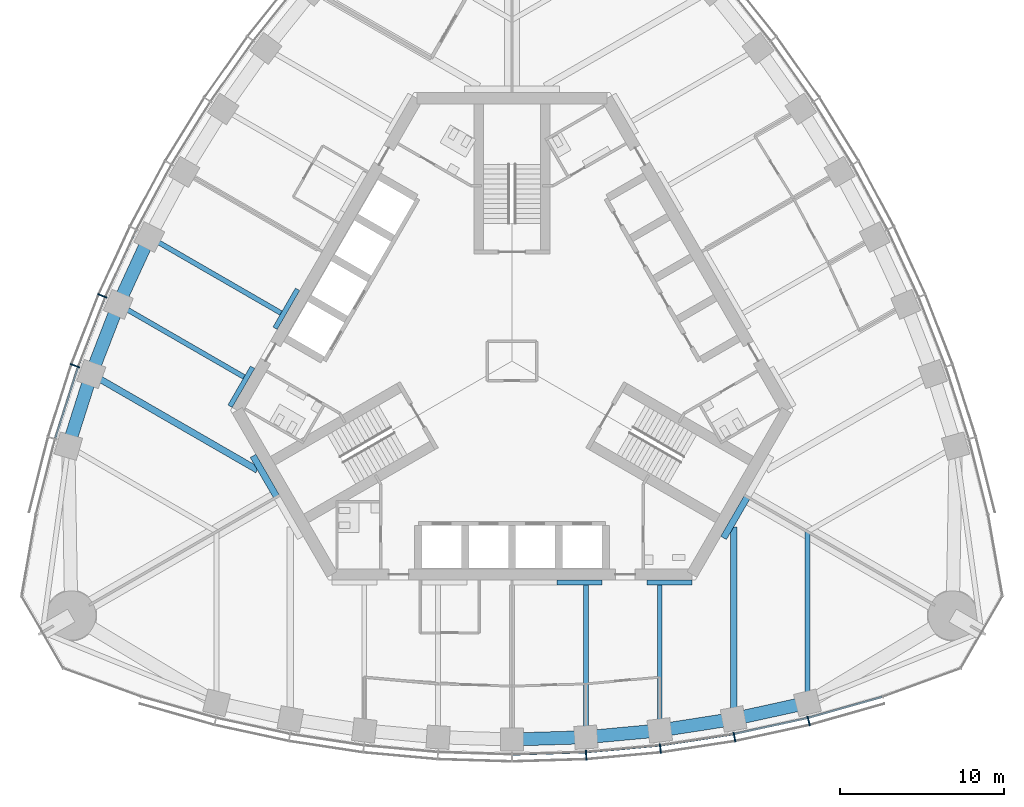
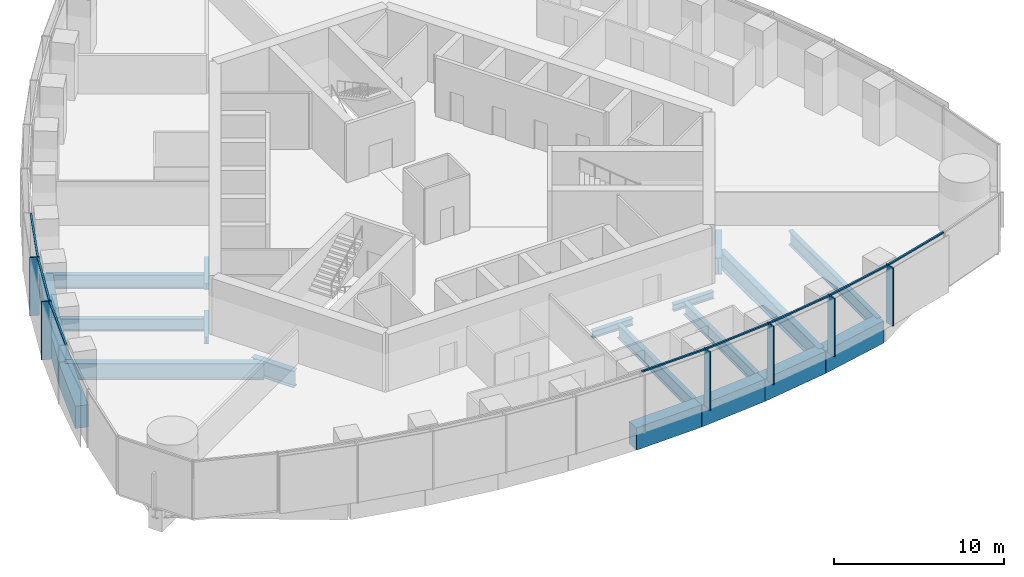
# One storey, part 3 of 15: 20 beams, 14 members, 2 elements without a shape of their own.
"""IFC4 building model written with IfcOpenShell, lengths in metres."""

from ifc_helpers import new_model, si_unit, direction, frame, origin, origin_2d, place, context, subcontext, project, spatial, rectangle, i_section, extrude, material, material_profile, profile_set, type_object, element, aggregate, save


model = new_model("IFC4")

# Units and contexts
model_context = context("Model", 3, precision=1e-05, world=origin(), true_north=direction((0.0, 1.0)))
body_context = subcontext(model_context, "Body", "Model", "MODEL_VIEW")
ifc_project = project(units=[si_unit("LENGTHUNIT", "METRE"), si_unit("AREAUNIT", "SQUARE_METRE"), si_unit("VOLUMEUNIT", "CUBIC_METRE"), si_unit("PLANEANGLEUNIT", "RADIAN"), si_unit("MASSUNIT", "GRAM", prefix="KILO")], contexts=[model_context])

# Site, building, storey
site_placement = place(None, origin())
site = spatial("IfcSite", under=ifc_project, at=site_placement, CompositionType="ELEMENT")
building_placement = place(site_placement, origin())
building = spatial("IfcBuilding", under=site, at=building_placement, Name="Trefoil Bronze Tower", CompositionType="ELEMENT")
storey_placement = place(building_placement, frame((0.0, 0.0, 288.89990234375)))
storey = spatial("IfcBuildingStorey", under=building, at=storey_placement, Name="L66", CompositionType="ELEMENT", Elevation=288.89990234375)

# Curtain wall, members
ifc_material_1 = material(Name="Tinted solar-control glass", Category="glass")
curtain_wall_type = type_object("IfcCurtainWallType", Name="Bronze office curtain wall", PredefinedType="USERDEFINED", material=ifc_material_1)
curtain_wall_1_placement = place(storey_placement, origin())
curtain_wall_1 = element("IfcCurtainWall", 1, at=curtain_wall_1_placement, inside=storey, type_object=curtain_wall_type, Name="CW-A L66 F1", ObjectType="CURTAIN WALL", PredefinedType="USERDEFINED")
ifc_material_2 = material(Name="Bronze-finish aluminium", Category="aluminium")
ifc_material_profile_1 = material_profile(ifc_material_2, rectangle(XDim=0.60009765625, YDim=0.080078125, at=origin_2d()), Name="CW-A mullion")
ifc_profile_set_1 = profile_set([ifc_material_profile_1], Name="Bronze-finish aluminium")
member_type_1 = type_object("IfcMemberType", Name="Bronze office curtain wall mullion", PredefinedType="MULLION", material=ifc_profile_set_1)
member_1_placement = place(storey_placement, frame((4.51806640625, -24.014892578125, 0.0), z_axis=(0.0, 0.0, 1.0), x_axis=(-0.060554040199, 0.998164920349, 0.0)))
member_1 = element("IfcMember", 2, at=member_1_placement, type_object=member_type_1, Name="CW-A L66 F1 mullion 7", PredefinedType="MULLION", context=body_context, shape_type="SweptSolid", body=[
    extrude(rectangle(XDim=0.60009765625, YDim=0.080078125, at=origin_2d()), origin(), (0.0, 0.0, 1.0), 4.18017578125),
])
member_2_placement = place(storey_placement, frame((9.036376953125, -23.602783203125, 0.0), z_axis=(0.0, 0.0, 1.0), x_axis=(-0.121109330868, 0.992639174109, 0.0)))
member_2 = element("IfcMember", 3, at=member_2_placement, type_object=member_type_1, Name="CW-A L66 F1 mullion 8", PredefinedType="MULLION", context=body_context, shape_type="SweptSolid", body=[
    extrude(rectangle(XDim=0.60009765625, YDim=0.080078125, at=origin_2d()), origin(), (0.0, 0.0, 1.0), 4.18017578125),
])
member_3_placement = place(storey_placement, frame((13.554443359375, -22.911376953125, 0.0), z_axis=(0.0, 0.0, 1.0), x_axis=(-0.181667218242, 0.983360067227, 0.0)))
member_3 = element("IfcMember", 4, at=member_3_placement, type_object=member_type_1, Name="CW-A L66 F1 mullion 9", PredefinedType="MULLION", context=body_context, shape_type="SweptSolid", body=[
    extrude(rectangle(XDim=0.60009765625, YDim=0.080078125, at=origin_2d()), origin(), (0.0, 0.0, 1.0), 4.18017578125),
])
member_4_placement = place(storey_placement, frame((18.07275390625, -21.931884765625, 0.0), z_axis=(0.0, 0.0, 1.0), x_axis=(-0.242394494031, 0.97017777199, 0.0)))
member_4 = element("IfcMember", 5, at=member_4_placement, type_object=member_type_1, Name="CW-A L66 F1 mullion 10", PredefinedType="MULLION", context=body_context, shape_type="SweptSolid", body=[
    extrude(rectangle(XDim=0.60009765625, YDim=0.080078125, at=origin_2d()), origin(), (0.0, 0.0, 1.0), 4.18017578125),
])

curtain_wall_2_placement = place(storey_placement, origin())
curtain_wall_2 = element("IfcCurtainWall", 6, at=curtain_wall_2_placement, inside=storey, type_object=curtain_wall_type, Name="CW-A L66 F3", ObjectType="CURTAIN WALL", PredefinedType="USERDEFINED")
member_5_placement = place(storey_placement, frame((-24.958984375, 3.975830078125, 0.0), z_axis=(0.0, 0.0, 1.0), x_axis=(0.920205407004, -0.391435829888, 0.0)))
member_5 = element("IfcMember", 7, at=member_5_placement, type_object=member_type_1, Name="CW-A L66 F3 mullion 8", PredefinedType="MULLION", context=body_context, shape_type="SweptSolid", body=[
    extrude(rectangle(XDim=0.60009765625, YDim=0.080078125, at=origin_2d()), origin(), (0.0, 0.0, 1.0), 4.18017578125),
])
member_6_placement = place(storey_placement, frame((-26.618896484375, -0.282958984375, 0.0), z_axis=(0.0, 0.0, 1.0), x_axis=(0.942448408407, -0.334351607581, 0.0)))
member_6 = element("IfcMember", 8, at=member_6_placement, type_object=member_type_1, Name="CW-A L66 F3 mullion 9", PredefinedType="MULLION", context=body_context, shape_type="SweptSolid", body=[
    extrude(rectangle(XDim=0.60009765625, YDim=0.080078125, at=origin_2d()), origin(), (0.0, 0.0, 1.0), 4.18017578125),
])

# Member
ifc_material_3 = material(Name="Bronze-finish aluminium", Category="aluminium")
ifc_material_profile_2 = material_profile(ifc_material_3, rectangle(XDim=0.1201171875, YDim=0.10009765625, at=origin_2d()), Name="CW-A transom")
ifc_profile_set_2 = profile_set([ifc_material_profile_2], Name="Bronze-finish aluminium")
member_type_2 = type_object("IfcMemberType", Name="Bronze office curtain wall transom", PredefinedType="USERDEFINED", material=ifc_profile_set_2)
member_7_placement = place(storey_placement, frame((0.04296875, -23.950439453125, 4.130126953125), z_axis=(0.99954057115, 0.030309183848, 0.0), x_axis=(-0.030309183848, 0.99954057115, 0.0)))
member_7 = element("IfcMember", 9, at=member_7_placement, type_object=member_type_2, Name="CW-A L66 F1 transom 6", ObjectType="TRANSOM", PredefinedType="USERDEFINED", context=body_context, shape_type="SweptSolid", body=[
    extrude(rectangle(XDim=0.1201171875, YDim=0.10009765625, at=origin_2d()), origin(), (0.0, 0.0, 1.0), 4.422119140625),
])

member_8_placement = place(storey_placement, frame((4.548828125, -23.811279296875, 4.130126953125), z_axis=(0.995868373079, 0.090808499059, 0.0), x_axis=(-0.090808499059, 0.995868373079, 0.0)))
member_8 = element("IfcMember", 10, at=member_8_placement, type_object=member_type_2, Name="CW-A L66 F1 transom 7", ObjectType="TRANSOM", PredefinedType="USERDEFINED", context=body_context, shape_type="SweptSolid", body=[
    extrude(rectangle(XDim=0.1201171875, YDim=0.10009765625, at=origin_2d()), origin(), (0.0, 0.0, 1.0), 4.438720703125),
])

member_9_placement = place(storey_placement, frame((9.0546875, -23.39794921875, 4.130126953125), z_axis=(0.988485016014, 0.151318779787, 0.0), x_axis=(-0.151318779787, 0.988485016014, 0.0)))
member_9 = element("IfcMember", 11, at=member_9_placement, type_object=member_type_2, Name="CW-A L66 F1 transom 8", ObjectType="TRANSOM", PredefinedType="USERDEFINED", context=body_context, shape_type="SweptSolid", body=[
    extrude(rectangle(XDim=0.1201171875, YDim=0.10009765625, at=origin_2d()), origin(), (0.0, 0.0, 1.0), 4.472412109375),
])

member_10_placement = place(storey_placement, frame((13.560302734375, -22.70556640625, 4.130126953125), z_axis=(0.977303780028, 0.211842681117, 0.0), x_axis=(-0.211842681117, 0.977303780028, 0.0)))
member_10 = element("IfcMember", 12, at=member_10_placement, type_object=member_type_2, Name="CW-A L66 F1 transom 9", ObjectType="TRANSOM", PredefinedType="USERDEFINED", context=body_context, shape_type="SweptSolid", body=[
    extrude(rectangle(XDim=0.1201171875, YDim=0.10009765625, at=origin_2d()), origin(), (0.0, 0.0, 1.0), 4.524658203125),
])

member_11_placement = place(storey_placement, frame((18.065673828125, -21.72607421875, 4.130126953125), z_axis=(0.962102611578, 0.272687668944, 0.0), x_axis=(-0.272687668944, 0.962102611578, 0.0)))
member_11 = element("IfcMember", 13, at=member_11_placement, type_object=member_type_2, Name="CW-A L66 F1 transom 10", ObjectType="TRANSOM", PredefinedType="USERDEFINED", context=body_context, shape_type="SweptSolid", body=[
    extrude(rectangle(XDim=0.1201171875, YDim=0.10009765625, at=origin_2d()), origin(), (0.0, 0.0, 1.0), 4.6474609375),
])

aggregate(curtain_wall_1, [member_1, member_2, member_3, member_4, member_7, member_8, member_9, member_10, member_11])

member_12_placement = place(storey_placement, frame((-22.895751953125, 7.966064453125, 4.130126953125), z_axis=(-0.4192988407, -0.907848270466, 0.0), x_axis=(0.907848270466, -0.4192988407, 0.0)))
member_12 = element("IfcMember", 14, at=member_12_placement, type_object=member_type_2, Name="CW-A L66 F3 transom 7", ObjectType="TRANSOM", PredefinedType="USERDEFINED", context=body_context, shape_type="SweptSolid", body=[
    extrude(rectangle(XDim=0.1201171875, YDim=0.10009765625, at=origin_2d()), origin(), (0.0, 0.0, 1.0), 4.4384765625),
])

member_13_placement = place(storey_placement, frame((-24.79052734375, 3.857421875, 4.130126953125), z_axis=(-0.363178486404, -0.931719586042, 0.0), x_axis=(0.931719586042, -0.363178486404, 0.0)))
member_13 = element("IfcMember", 15, at=member_13_placement, type_object=member_type_2, Name="CW-A L66 F3 transom 8", ObjectType="TRANSOM", PredefinedType="USERDEFINED", context=body_context, shape_type="SweptSolid", body=[
    extrude(rectangle(XDim=0.1201171875, YDim=0.10009765625, at=origin_2d()), origin(), (0.0, 0.0, 1.0), 4.472412109375),
])

member_14_placement = place(storey_placement, frame((-26.443603515625, -0.390869140625, 4.130126953125), z_axis=(-0.305198606794, -0.95228872219, 0.0), x_axis=(0.95228872219, -0.305198606794, 0.0)))
member_14 = element("IfcMember", 16, at=member_14_placement, type_object=member_type_2, Name="CW-A L66 F3 transom 9", ObjectType="TRANSOM", PredefinedType="USERDEFINED", context=body_context, shape_type="SweptSolid", body=[
    extrude(rectangle(XDim=0.1201171875, YDim=0.10009765625, at=origin_2d()), origin(), (0.0, 0.0, 1.0), 4.5244140625),
])

aggregate(curtain_wall_2, [member_5, member_6, member_12, member_13, member_14])

# Beams
ifc_material_4 = material(Name="Steel C355", Category="steel")
ifc_material_profile_3 = material_profile(ifc_material_4, i_section(OverallWidth=0.300048828125, OverallDepth=0.5, WebThickness=0.014404296875, FlangeThickness=0.028076171875, FilletRadius=0.027099609375, at=origin_2d()), Name="HEB 500")
ifc_profile_set_3 = profile_set([ifc_material_profile_3], Name="Steel C355")
beam_type_1 = type_object("IfcBeamType", Name="Core seat beam HEB 500", PredefinedType="BEAM", material=ifc_profile_set_3)
for number, where, z_axis, x_axis, name in (
    (17, (2.742431640625, -13.5, -0.449951171875), (1.0, 0.0, 0.0), (0.0, 1.0, 0.0), "Core seat beam F1/+1 L66"),
    (18, (8.227294921875, -13.5, -0.449951171875), (1.0, 0.0, 0.0), (0.0, 1.0, 0.0), "Core seat beam F1/+2 L66"),
    (19, (-13.0625, 4.375, -0.449951171875), (-0.500035825175, -0.866004719122, 0.0), (0.866004719122, -0.500035825175, 0.0), "Core seat beam F3/+1 L66"),
    (20, (-15.804931640625, -0.375, -0.449951171875), (-0.500035825175, -0.866004719122, 0.0), (0.866004719122, -0.500035825175, 0.0), "Core seat beam F3/+2 L66"),
):
    element("IfcBeam", number, at=place(storey_placement, frame(where, z_axis=z_axis, x_axis=x_axis)), inside=storey, type_object=beam_type_1, Name=name, PredefinedType="BEAM", context=body_context, shape_type="SweptSolid", body=[
        extrude(i_section(OverallWidth=0.300048828125, OverallDepth=0.5, WebThickness=0.014404296875, FlangeThickness=0.028076171875, FilletRadius=0.027099609375, at=origin_2d()), origin(), (0.0, 0.0, 1.0), 2.742431640625),
    ])
ifc_material_5 = material(Name="Steel C355", Category="steel")
ifc_material_profile_4 = material_profile(ifc_material_5, i_section(OverallWidth=0.39990234375, OverallDepth=1.199951171875, WebThickness=0.02001953125, FlangeThickness=0.0400390625, FilletRadius=0.010009765625, at=origin_2d()), Name="WPG 1200")
ifc_profile_set_4 = profile_set([ifc_material_profile_4], Name="Steel C355")
beam_type_2 = type_object("IfcBeamType", Name="Core seat beam WPG 1200", PredefinedType="BEAM", material=ifc_profile_set_4)
for number, where, z_axis, x_axis, name in (
    (21, (12.889404296875, -10.77490234375, -0.7998046875), (0.499995765644, 0.866027848477, 0.0), (-0.866027848477, 0.499995765644, 0.0), "Core seat beam F1/+3 L66"),
    (22, (-15.776123046875, -5.77490234375, -0.7998046875), (0.499995765644, -0.866027848477, 0.0), (0.866027848477, 0.499995765644, 0.0), "Core seat beam F3/+3 L66"),
):
    element("IfcBeam", number, at=place(storey_placement, frame(where, z_axis=z_axis, x_axis=x_axis)), inside=storey, type_object=beam_type_2, Name=name, PredefinedType="BEAM", context=body_context, shape_type="SweptSolid", body=[
        extrude(i_section(OverallWidth=0.39990234375, OverallDepth=1.199951171875, WebThickness=0.02001953125, FlangeThickness=0.0400390625, FilletRadius=0.010009765625, at=origin_2d()), origin(), (0.0, 0.0, 1.0), 2.88671875),
    ])
ifc_material_6 = material(Name="Steel C355", Category="steel")
ifc_material_profile_5 = material_profile(ifc_material_6, i_section(OverallWidth=0.300048828125, OverallDepth=1.0, WebThickness=0.01904296875, FlangeThickness=0.035888671875, FilletRadius=0.030029296875, at=origin_2d()), Name="HEB 1000")
ifc_profile_set_5 = profile_set([ifc_material_profile_5], Name="Steel C355")
beam_type_3 = type_object("IfcBeamType", Name="Floor beam HEB 1000", PredefinedType="BEAM", material=ifc_profile_set_5)
beam_1_placement = place(storey_placement, frame((4.5, -22.913818359375, -0.699951171875), z_axis=(0.0, 1.0, 0.0), x_axis=(-1.0, 0.0, 0.0)))
element("IfcBeam", 23, at=beam_1_placement, inside=storey, type_object=beam_type_3, Name="Floor beam F1/+1 L66", PredefinedType="BEAM", context=body_context, shape_type="SweptSolid", body=[
    extrude(i_section(OverallWidth=0.300048828125, OverallDepth=1.0, WebThickness=0.01904296875, FlangeThickness=0.035888671875, FilletRadius=0.030029296875, at=origin_2d()), origin(), (0.0, 0.0, 1.0), 9.263916015625),
])
beam_2_placement = place(storey_placement, frame((-22.093994140625, 7.559814453125, -0.699951171875), z_axis=(0.866028909405, -0.499993928037, 0.0), x_axis=(0.499993928037, 0.866028909405, 0.0)))
element("IfcBeam", 24, at=beam_2_placement, inside=storey, type_object=beam_type_3, Name="Floor beam F3/+1 L66", PredefinedType="BEAM", context=body_context, shape_type="SweptSolid", body=[
    extrude(i_section(OverallWidth=0.300048828125, OverallDepth=1.0, WebThickness=0.01904296875, FlangeThickness=0.035888671875, FilletRadius=0.030029296875, at=origin_2d()), origin(), (0.0, 0.0, 1.0), 9.263671875),
])
ifc_material_7 = material(Name="Steel C355", Category="steel")
ifc_material_profile_6 = material_profile(ifc_material_7, i_section(OverallWidth=0.300048828125, OverallDepth=0.89990234375, WebThickness=0.0185546875, FlangeThickness=0.034912109375, FilletRadius=0.030029296875, at=origin_2d()), Name="HEB 900")
ifc_profile_set_6 = profile_set([ifc_material_profile_6], Name="Steel C355")
beam_type_4 = type_object("IfcBeamType", Name="Floor beam HEB 900", PredefinedType="BEAM", material=ifc_profile_set_6)
beam_3_placement = place(storey_placement, frame((9.0, -22.499267578125, -0.64990234375), z_axis=(0.0, 1.0, 0.0), x_axis=(-1.0, 0.0, 0.0)))
element("IfcBeam", 25, at=beam_3_placement, inside=storey, type_object=beam_type_4, Name="Floor beam F1/+2 L66", PredefinedType="BEAM", context=body_context, shape_type="SweptSolid", body=[
    extrude(i_section(OverallWidth=0.300048828125, OverallDepth=0.89990234375, WebThickness=0.0185546875, FlangeThickness=0.034912109375, FilletRadius=0.030029296875, at=origin_2d()), origin(), (0.0, 0.0, 1.0), 8.849365234375),
])
beam_4_placement = place(storey_placement, frame((-23.98486328125, 3.455322265625, -0.64990234375), z_axis=(0.866025701847, -0.499999483739, 0.0), x_axis=(0.499999483739, 0.866025701847, 0.0)))
element("IfcBeam", 26, at=beam_4_placement, inside=storey, type_object=beam_type_4, Name="Floor beam F3/+2 L66", PredefinedType="BEAM", context=body_context, shape_type="SweptSolid", body=[
    extrude(i_section(OverallWidth=0.300048828125, OverallDepth=0.89990234375, WebThickness=0.0185546875, FlangeThickness=0.034912109375, FilletRadius=0.030029296875, at=origin_2d()), origin(), (0.0, 0.0, 1.0), 8.84912109375),
])
ifc_material_8 = material(Name="Steel C355", Category="steel")
ifc_material_profile_7 = material_profile(ifc_material_8, i_section(OverallWidth=0.302001953125, OverallDepth=1.008056640625, WebThickness=0.02099609375, FlangeThickness=0.0400390625, FilletRadius=0.030029296875, at=origin_2d()), Name="HEM 1000")
ifc_profile_set_7 = profile_set([ifc_material_profile_7], Name="Steel C355")
beam_type_5 = type_object("IfcBeamType", Name="Floor beam HEM 1000", PredefinedType="BEAM", material=ifc_profile_set_7)
beam_5_placement = place(storey_placement, frame((18.0, -20.816162109375, -0.703857421875), z_axis=(0.0, 1.0, 0.0), x_axis=(-1.0, 0.0, 0.0)))
element("IfcBeam", 27, at=beam_5_placement, inside=storey, type_object=beam_type_5, Name="Floor beam F1/+4 L66", PredefinedType="BEAM", context=body_context, shape_type="SweptSolid", body=[
    extrude(i_section(OverallWidth=0.302001953125, OverallDepth=1.008056640625, WebThickness=0.02099609375, FlangeThickness=0.0400390625, FilletRadius=0.030029296875, at=origin_2d()), origin(), (0.0, 0.0, 1.0), 10.423828125),
])
ifc_material_9 = material(Name="Steel C355", Category="steel")
ifc_material_profile_8 = material_profile(ifc_material_9, i_section(OverallWidth=0.39990234375, OverallDepth=1.199951171875, WebThickness=0.02001953125, FlangeThickness=0.0400390625, FilletRadius=0.010009765625, at=origin_2d()), Name="WPG 1200")
ifc_profile_set_8 = profile_set([ifc_material_profile_8], Name="Steel C355")
beam_type_6 = type_object("IfcBeamType", Name="Floor beam WPG 1200", PredefinedType="BEAM", material=ifc_profile_set_8)
beam_6_placement = place(storey_placement, frame((13.5, -21.802734375, -0.7998046875), z_axis=(0.0, 1.0, 0.0), x_axis=(-1.0, 0.0, 0.0)))
element("IfcBeam", 28, at=beam_6_placement, inside=storey, type_object=beam_type_6, Name="Floor beam F1/+3 L66", PredefinedType="BEAM", context=body_context, shape_type="SweptSolid", body=[
    extrude(i_section(OverallWidth=0.39990234375, OverallDepth=1.199951171875, WebThickness=0.02001953125, FlangeThickness=0.0400390625, FilletRadius=0.010009765625, at=origin_2d()), origin(), (0.0, 0.0, 1.0), 11.685302734375),
])
beam_7_placement = place(storey_placement, frame((-25.631591796875, -0.7900390625, -0.7998046875), z_axis=(0.866026929639, -0.499997357134, 0.0), x_axis=(0.499997357134, 0.866026929639, 0.0)))
element("IfcBeam", 29, at=beam_7_placement, inside=storey, type_object=beam_type_6, Name="Floor beam F3/+3 L66", PredefinedType="BEAM", context=body_context, shape_type="SweptSolid", body=[
    extrude(i_section(OverallWidth=0.39990234375, OverallDepth=1.199951171875, WebThickness=0.02001953125, FlangeThickness=0.0400390625, FilletRadius=0.010009765625, at=origin_2d()), origin(), (0.0, 0.0, 1.0), 11.68505859375),
])
ifc_material_10 = material(Name="Concrete B80", Category="concrete")
ifc_material_profile_9 = material_profile(ifc_material_10, rectangle(XDim=0.800048828125, YDim=1.60009765625, at=origin_2d()), Name="RC 800x1600")
ifc_profile_set_9 = profile_set([ifc_material_profile_9], Name="Concrete B80")
beam_type_7 = type_object("IfcBeamType", Name="Spandrel beam RC 800x1600", PredefinedType="SPANDREL", material=ifc_profile_set_9)
beam_8_placement = place(storey_placement, frame((0.0, -23.051513671875, -1.0), z_axis=(0.999532180362, 0.03058464354, 0.0), x_axis=(-0.03058464354, 0.999532180362, 0.0)))
element("IfcBeam", 30, at=beam_8_placement, inside=storey, type_object=beam_type_7, Name="Spandrel F1.6 L66", PredefinedType="SPANDREL", context=body_context, shape_type="SweptSolid", body=[
    extrude(rectangle(XDim=0.800048828125, YDim=1.60009765625, at=origin_2d()), origin(), (0.0, 0.0, 1.0), 4.502197265625),
])
beam_9_placement = place(storey_placement, frame((4.5, -22.913818359375, -1.0), z_axis=(0.995783550481, 0.091733966402, 0.0), x_axis=(-0.091733966402, 0.995783550481, 0.0)))
element("IfcBeam", 31, at=beam_9_placement, inside=storey, type_object=beam_type_7, Name="Spandrel F1.7 L66", PredefinedType="SPANDREL", context=body_context, shape_type="SweptSolid", body=[
    extrude(rectangle(XDim=0.800048828125, YDim=1.60009765625, at=origin_2d()), origin(), (0.0, 0.0, 1.0), 4.51904296875),
])
beam_10_placement = place(storey_placement, frame((9.0, -22.499267578125, -1.0), z_axis=(0.988231820946, 0.152963616816, 0.0), x_axis=(-0.152963616816, 0.988231820946, 0.0)))
element("IfcBeam", 32, at=beam_10_placement, inside=storey, type_object=beam_type_7, Name="Spandrel F1.8 L66", PredefinedType="SPANDREL", context=body_context, shape_type="SweptSolid", body=[
    extrude(rectangle(XDim=0.800048828125, YDim=1.60009765625, at=origin_2d()), origin(), (0.0, 0.0, 1.0), 4.553466796875),
])
beam_11_placement = place(storey_placement, frame((13.5, -21.802734375, -1.0), z_axis=(0.976800342355, 0.214152028182, 0.0), x_axis=(-0.214152028182, 0.976800342355, 0.0)))
element("IfcBeam", 33, at=beam_11_placement, inside=storey, type_object=beam_type_7, Name="Spandrel F1.9 L66", PredefinedType="SPANDREL", context=body_context, shape_type="SweptSolid", body=[
    extrude(rectangle(XDim=0.800048828125, YDim=1.60009765625, at=origin_2d()), origin(), (0.0, 0.0, 1.0), 4.60693359375),
])
beam_12_placement = place(storey_placement, frame((-22.093994140625, 7.559814453125, -1.0), z_axis=(-0.418417425199, -0.90825484215, 0.0), x_axis=(0.90825484215, -0.418417425199, 0.0)))
element("IfcBeam", 34, at=beam_12_placement, inside=storey, type_object=beam_type_7, Name="Spandrel F3.7 L66", PredefinedType="SPANDREL", context=body_context, shape_type="SweptSolid", body=[
    extrude(rectangle(XDim=0.800048828125, YDim=1.60009765625, at=origin_2d()), origin(), (0.0, 0.0, 1.0), 4.51904296875),
])
beam_13_placement = place(storey_placement, frame((-23.98486328125, 3.455322265625, -1.0), z_axis=(-0.361636286502, -0.932319256631, 0.0), x_axis=(0.932319256631, -0.361636286502, 0.0)))
element("IfcBeam", 35, at=beam_13_placement, inside=storey, type_object=beam_type_7, Name="Spandrel F3.8 L66", PredefinedType="SPANDREL", context=body_context, shape_type="SweptSolid", body=[
    extrude(rectangle(XDim=0.800048828125, YDim=1.60009765625, at=origin_2d()), origin(), (0.0, 0.0, 1.0), 4.553466796875),
])
beam_14_placement = place(storey_placement, frame((-25.631591796875, -0.7900390625, -1.0), z_axis=(-0.302969597344, -0.953000221975, 0.0), x_axis=(0.953000221975, -0.302969597344, 0.0)))
element("IfcBeam", 36, at=beam_14_placement, inside=storey, type_object=beam_type_7, Name="Spandrel F3.9 L66", PredefinedType="SPANDREL", context=body_context, shape_type="SweptSolid", body=[
    extrude(rectangle(XDim=0.800048828125, YDim=1.60009765625, at=origin_2d()), origin(), (0.0, 0.0, 1.0), 4.60693359375),
])

save(model, "model.ifc")
